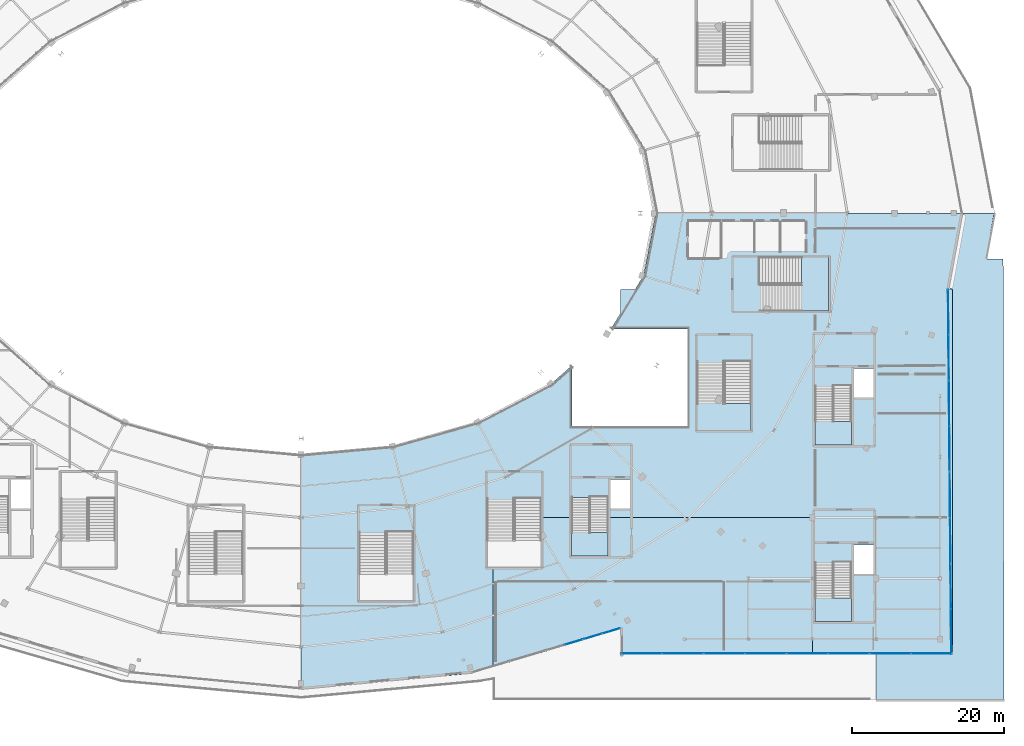
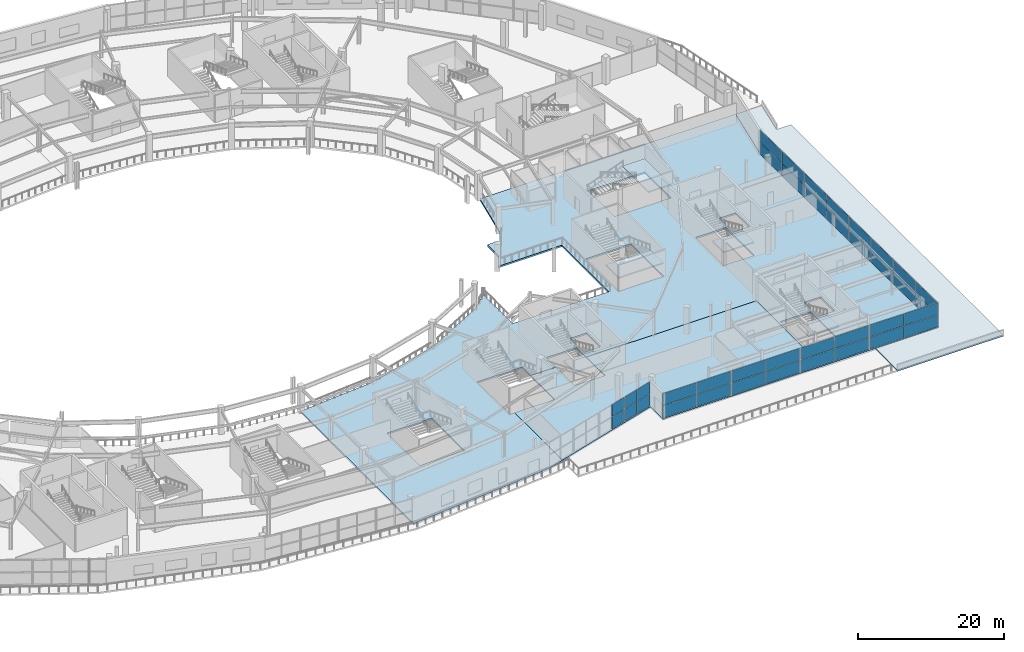
# One storey, part 65 of 107: 38 plates, 8 slabs, 15 elements without a shape of their own.
"""IFC4 building model written with IfcOpenShell, lengths in metres."""

from ifc_helpers import new_model, si_unit, direction, frame, origin, origin_2d, place, context, subcontext, project, spatial, polyline, rectangle, outline, extrude, material, layer, layer_set, type_object, element, aggregate, save


model = new_model("IFC4")

# Units and contexts
model_context = context("Model", 3, precision=1e-05, world=origin(), true_north=direction((0.0, 1.0)))
body_context = subcontext(model_context, "Body", "Model", "MODEL_VIEW")
ifc_project = project(units=[si_unit("LENGTHUNIT", "METRE"), si_unit("AREAUNIT", "SQUARE_METRE"), si_unit("VOLUMEUNIT", "CUBIC_METRE"), si_unit("PLANEANGLEUNIT", "RADIAN"), si_unit("MASSUNIT", "GRAM", prefix="KILO")], contexts=[model_context])

# Site, building, storey
site_placement = place(None, origin())
site = spatial("IfcSite", under=ifc_project, at=site_placement, CompositionType="ELEMENT")
building_placement = place(site_placement, origin())
building = spatial("IfcBuilding", under=site, at=building_placement, Name="Kalgoora Escarpment Arena", CompositionType="ELEMENT")
storey_placement = place(building_placement, frame((0.0, 0.0, 5.39990234375)))
storey = spatial("IfcBuildingStorey", under=building, at=storey_placement, Name="L01", CompositionType="ELEMENT", Elevation=5.39990234375)

# Curtain wall, plates
ifc_material_1 = material(Name=" Champagne anodised aluminium & double-glazed low-E", Category="aluminium")
ifc_layer_1 = layer(ifc_material_1, 0.162109375)
ifc_layer_set_1 = layer_set([ifc_layer_1], Name="CW-UNIT-03")
curtain_wall_type_1 = type_object("IfcCurtainWallType", Name="CW-UNIT-03", PredefinedType="NOTDEFINED", material=ifc_layer_set_1)
curtain_wall_1_placement = place(storey_placement, origin())
curtain_wall_1 = element("IfcCurtainWall", 1, at=curtain_wall_1_placement, inside=storey, type_object=curtain_wall_type_1, Name="L01 unitised facade curtain wall 002", PredefinedType="NOTDEFINED")
ifc_material_2 = material(Name="Low-E double-glazed insulated glass", Category="glass")
ifc_layer_2 = layer(ifc_material_2, 0.028076171875)
ifc_layer_set_2 = layer_set([ifc_layer_2], Name="PLT-CW-GLAZ-28")
plate_type_1 = type_object("IfcPlateType", Name="PLT-CW-GLAZ-28", PredefinedType="CURTAIN_PANEL", material=ifc_layer_set_2)
plate_1_placement = place(storey_placement, frame((164.333740234375, 6.1201171875, 0.080078125), z_axis=(0.0, 0.0, 1.0), x_axis=(-1.0, 0.0, 0.0)))
plate_1 = element("IfcPlate", 2, at=plate_1_placement, type_object=plate_type_1, Name="CW-03 panel 1.1", PredefinedType="CURTAIN_PANEL", context=body_context, shape_type="SweptSolid", body=[
    extrude(rectangle(XDim=5.302490234375, YDim=0.028076171875, at=origin_2d()), origin(), (0.0, 0.0, 1.0), 2.014892578125),
])
plate_2_placement = place(storey_placement, frame((164.333740234375, 6.1201171875, 2.155029296875), z_axis=(0.0, 0.0, 1.0), x_axis=(-1.0, 0.0, 0.0)))
plate_2 = element("IfcPlate", 3, at=plate_2_placement, type_object=plate_type_1, Name="CW-03 panel 1.2", PredefinedType="CURTAIN_PANEL", context=body_context, shape_type="SweptSolid", body=[
    extrude(rectangle(XDim=5.302490234375, YDim=0.028076171875, at=origin_2d()), origin(), (0.0, 0.0, 1.0), 1.9951171875),
])
plate_3_placement = place(storey_placement, frame((158.96630859375, 6.1201171875, 0.080078125), z_axis=(0.0, 0.0, 1.0), x_axis=(-1.0, 0.0, 0.0)))
plate_3 = element("IfcPlate", 4, at=plate_3_placement, type_object=plate_type_1, Name="CW-03 panel 2.1", PredefinedType="CURTAIN_PANEL", context=body_context, shape_type="SweptSolid", body=[
    extrude(rectangle(XDim=5.302490234375, YDim=0.028076171875, at=origin_2d()), origin(), (0.0, 0.0, 1.0), 2.014892578125),
])
plate_4_placement = place(storey_placement, frame((158.96630859375, 6.1201171875, 2.155029296875), z_axis=(0.0, 0.0, 1.0), x_axis=(-1.0, 0.0, 0.0)))
plate_4 = element("IfcPlate", 5, at=plate_4_placement, type_object=plate_type_1, Name="CW-03 panel 2.2", PredefinedType="CURTAIN_PANEL", context=body_context, shape_type="SweptSolid", body=[
    extrude(rectangle(XDim=5.302490234375, YDim=0.028076171875, at=origin_2d()), origin(), (0.0, 0.0, 1.0), 1.9951171875),
])
aggregate(curtain_wall_1, [plate_1, plate_2, plate_3, plate_4])

ifc_material_3 = material(Name=" Champagne anodised aluminium & double-glazed low-E", Category="aluminium")
ifc_layer_3 = layer(ifc_material_3, 0.14990234375)
ifc_layer_set_3 = layer_set([ifc_layer_3], Name="CW-UNIT-05")
curtain_wall_type_2 = type_object("IfcCurtainWallType", Name="CW-UNIT-05", PredefinedType="NOTDEFINED", material=ifc_layer_set_3)
curtain_wall_2_placement = place(storey_placement, origin())
curtain_wall_2 = element("IfcCurtainWall", 6, at=curtain_wall_2_placement, inside=storey, type_object=curtain_wall_type_2, Name="L01 unitised facade curtain wall 004", PredefinedType="NOTDEFINED")
plate_5_placement = place(storey_placement, frame((142.521240234375, 6.1201171875, 0.080078125), z_axis=(0.0, 0.0, 1.0), x_axis=(-1.0, 0.0, 0.0)))
plate_5 = element("IfcPlate", 7, at=plate_5_placement, type_object=plate_type_1, Name="CW-05 panel 1.1", PredefinedType="CURTAIN_PANEL", context=body_context, shape_type="SweptSolid", body=[
    extrude(rectangle(XDim=5.327392578125, YDim=0.028076171875, at=origin_2d()), origin(), (0.0, 0.0, 1.0), 2.014892578125),
])
plate_6_placement = place(storey_placement, frame((142.521240234375, 6.1201171875, 2.155029296875), z_axis=(0.0, 0.0, 1.0), x_axis=(-1.0, 0.0, 0.0)))
plate_6 = element("IfcPlate", 8, at=plate_6_placement, type_object=plate_type_1, Name="CW-05 panel 1.2", PredefinedType="CURTAIN_PANEL", context=body_context, shape_type="SweptSolid", body=[
    extrude(rectangle(XDim=5.327392578125, YDim=0.028076171875, at=origin_2d()), origin(), (0.0, 0.0, 1.0), 1.9951171875),
])
plate_7_placement = place(storey_placement, frame((137.128662109375, 6.1201171875, 0.080078125), z_axis=(0.0, 0.0, 1.0), x_axis=(-1.0, 0.0, 0.0)))
plate_7 = element("IfcPlate", 9, at=plate_7_placement, type_object=plate_type_1, Name="CW-05 panel 2.1", PredefinedType="CURTAIN_PANEL", context=body_context, shape_type="SweptSolid", body=[
    extrude(rectangle(XDim=5.327392578125, YDim=0.028076171875, at=origin_2d()), origin(), (0.0, 0.0, 1.0), 2.014892578125),
])
plate_8_placement = place(storey_placement, frame((137.128662109375, 6.1201171875, 2.155029296875), z_axis=(0.0, 0.0, 1.0), x_axis=(-1.0, 0.0, 0.0)))
plate_8 = element("IfcPlate", 10, at=plate_8_placement, type_object=plate_type_1, Name="CW-05 panel 2.2", PredefinedType="CURTAIN_PANEL", context=body_context, shape_type="SweptSolid", body=[
    extrude(rectangle(XDim=5.327392578125, YDim=0.028076171875, at=origin_2d()), origin(), (0.0, 0.0, 1.0), 1.9951171875),
])
aggregate(curtain_wall_2, [plate_5, plate_6, plate_7, plate_8])

ifc_material_4 = material(Name=" Champagne anodised aluminium & double-glazed low-E", Category="aluminium")
ifc_layer_4 = layer(ifc_material_4, 0.157958984375)
ifc_layer_set_4 = layer_set([ifc_layer_4], Name="CW-UNIT-07")
curtain_wall_type_3 = type_object("IfcCurtainWallType", Name="CW-UNIT-07", PredefinedType="NOTDEFINED", material=ifc_layer_set_4)
curtain_wall_3_placement = place(storey_placement, origin())
curtain_wall_3 = element("IfcCurtainWall", 11, at=curtain_wall_3_placement, inside=storey, type_object=curtain_wall_type_3, Name="L01 unitised facade curtain wall 006", PredefinedType="NOTDEFINED")
plate_9_placement = place(storey_placement, frame((128.23779296875, 7.628173828125, 0.080078125), z_axis=(0.0, 0.0, 1.0), x_axis=(-0.958340689726, -0.285627593932, 0.0)))
plate_9 = element("IfcPlate", 12, at=plate_9_placement, type_object=plate_type_1, Name="CW-07 panel 1.1", PredefinedType="CURTAIN_PANEL", context=body_context, shape_type="SweptSolid", body=[
    extrude(rectangle(XDim=2.393798828125, YDim=0.028076171875, at=origin_2d()), origin(), (0.0, 0.0, 1.0), 2.014892578125),
])
plate_10_placement = place(storey_placement, frame((128.23779296875, 7.628173828125, 2.155029296875), z_axis=(0.0, 0.0, 1.0), x_axis=(-0.958340689726, -0.285627593932, 0.0)))
plate_10 = element("IfcPlate", 13, at=plate_10_placement, type_object=plate_type_1, Name="CW-07 panel 1.2", PredefinedType="CURTAIN_PANEL", context=body_context, shape_type="SweptSolid", body=[
    extrude(rectangle(XDim=2.393798828125, YDim=0.028076171875, at=origin_2d()), origin(), (0.0, 0.0, 1.0), 1.9951171875),
])
aggregate(curtain_wall_3, [plate_9, plate_10])

ifc_material_5 = material(Name=" Champagne anodised aluminium & double-glazed low-E", Category="aluminium")
ifc_layer_5 = layer(ifc_material_5, 0.166015625)
ifc_layer_set_5 = layer_set([ifc_layer_5], Name="CW-UNIT-19")
curtain_wall_type_4 = type_object("IfcCurtainWallType", Name="CW-UNIT-19", PredefinedType="NOTDEFINED", material=ifc_layer_set_5)
curtain_wall_4_placement = place(storey_placement, origin())
curtain_wall_4 = element("IfcCurtainWall", 14, at=curtain_wall_4_placement, inside=storey, type_object=curtain_wall_type_4, Name="L01 unitised facade curtain wall 038", PredefinedType="NOTDEFINED")
plate_11_placement = place(storey_placement, frame((177.5849609375, 38.958984375, 0.0751953125), z_axis=(0.0, 0.0, 1.0), x_axis=(0.008949221441, -0.999959954916, 0.0)))
plate_11 = element("IfcPlate", 15, at=plate_11_placement, type_object=plate_type_1, Name="CW-19 panel 1.1", PredefinedType="CURTAIN_PANEL", context=body_context, shape_type="SweptSolid", body=[
    extrude(rectangle(XDim=5.8603515625, YDim=0.028076171875, at=origin_2d()), origin(), (0.0, 0.0, 1.0), 2.027587890625),
])
plate_12_placement = place(storey_placement, frame((177.5849609375, 38.958984375, 2.15771484375), z_axis=(0.0, 0.0, 1.0), x_axis=(0.008949221441, -0.999959954916, 0.0)))
plate_12 = element("IfcPlate", 16, at=plate_12_placement, type_object=plate_type_1, Name="CW-19 panel 1.2", PredefinedType="CURTAIN_PANEL", context=body_context, shape_type="SweptSolid", body=[
    extrude(rectangle(XDim=5.8603515625, YDim=0.028076171875, at=origin_2d()), origin(), (0.0, 0.0, 1.0), 2.007568359375),
])
plate_13_placement = place(storey_placement, frame((177.637939453125, 33.038818359375, 0.0751953125), z_axis=(0.0, 0.0, 1.0), x_axis=(0.008949221441, -0.999959954916, 0.0)))
plate_13 = element("IfcPlate", 17, at=plate_13_placement, type_object=plate_type_1, Name="CW-19 panel 2.1", PredefinedType="CURTAIN_PANEL", context=body_context, shape_type="SweptSolid", body=[
    extrude(rectangle(XDim=5.8603515625, YDim=0.028076171875, at=origin_2d()), origin(), (0.0, 0.0, 1.0), 2.027587890625),
])
plate_14_placement = place(storey_placement, frame((177.637939453125, 33.038818359375, 2.15771484375), z_axis=(0.0, 0.0, 1.0), x_axis=(0.008949221441, -0.999959954916, 0.0)))
plate_14 = element("IfcPlate", 18, at=plate_14_placement, type_object=plate_type_1, Name="CW-19 panel 2.2", PredefinedType="CURTAIN_PANEL", context=body_context, shape_type="SweptSolid", body=[
    extrude(rectangle(XDim=5.8603515625, YDim=0.028076171875, at=origin_2d()), origin(), (0.0, 0.0, 1.0), 2.007568359375),
])
aggregate(curtain_wall_4, [plate_11, plate_12, plate_13, plate_14])

ifc_material_6 = material(Name=" Champagne anodised aluminium & double-glazed low-E", Category="aluminium")
ifc_layer_6 = layer(ifc_material_6, 0.154052734375)
ifc_layer_set_6 = layer_set([ifc_layer_6], Name="CW-UNIT-01")
curtain_wall_type_5 = type_object("IfcCurtainWallType", Name="CW-UNIT-01", PredefinedType="NOTDEFINED", material=ifc_layer_set_6)
curtain_wall_5_placement = place(storey_placement, origin())
curtain_wall_5 = element("IfcCurtainWall", 19, at=curtain_wall_5_placement, inside=storey, type_object=curtain_wall_type_5, Name="L01 unitised facade curtain wall 040", PredefinedType="NOTDEFINED")
plate_15_placement = place(storey_placement, frame((177.7998046875, 14.945068359375, 0.080078125), z_axis=(0.0, 0.0, 1.0), x_axis=(0.008953615986, -0.999959915577, 0.0)))
plate_15 = element("IfcPlate", 20, at=plate_15_placement, type_object=plate_type_1, Name="CW-01 panel 1.1", PredefinedType="CURTAIN_PANEL", context=body_context, shape_type="SweptSolid", body=[
    extrude(rectangle(XDim=5.877685546875, YDim=0.028076171875, at=origin_2d()), origin(), (0.0, 0.0, 1.0), 2.02001953125),
])
plate_16_placement = place(storey_placement, frame((177.7998046875, 14.945068359375, 2.16015625), z_axis=(0.0, 0.0, 1.0), x_axis=(0.008953615986, -0.999959915577, 0.0)))
plate_16 = element("IfcPlate", 21, at=plate_16_placement, type_object=plate_type_1, Name="CW-01 panel 1.2", PredefinedType="CURTAIN_PANEL", context=body_context, shape_type="SweptSolid", body=[
    extrude(rectangle(XDim=5.877685546875, YDim=0.028076171875, at=origin_2d()), origin(), (0.0, 0.0, 1.0), 2.0),
])
plate_17_placement = place(storey_placement, frame((177.85302734375, 9.002685546875, 0.080078125), z_axis=(0.0, 0.0, 1.0), x_axis=(0.008953615986, -0.999959915577, 0.0)))
plate_17 = element("IfcPlate", 22, at=plate_17_placement, type_object=plate_type_1, Name="CW-01 panel 2.1", PredefinedType="CURTAIN_PANEL", context=body_context, shape_type="SweptSolid", body=[
    extrude(rectangle(XDim=5.877685546875, YDim=0.028076171875, at=origin_2d()), origin(), (0.0, 0.0, 1.0), 2.02001953125),
])
plate_18_placement = place(storey_placement, frame((177.85302734375, 9.002685546875, 2.16015625), z_axis=(0.0, 0.0, 1.0), x_axis=(0.008953615986, -0.999959915577, 0.0)))
plate_18 = element("IfcPlate", 23, at=plate_18_placement, type_object=plate_type_1, Name="CW-01 panel 2.2", PredefinedType="CURTAIN_PANEL", context=body_context, shape_type="SweptSolid", body=[
    extrude(rectangle(XDim=5.877685546875, YDim=0.028076171875, at=origin_2d()), origin(), (0.0, 0.0, 1.0), 2.0),
])
aggregate(curtain_wall_5, [plate_15, plate_16, plate_17, plate_18])

ifc_material_7 = material(Name=" Champagne anodised aluminium & double-glazed low-E", Category="aluminium")
ifc_layer_7 = layer(ifc_material_7, 0.157958984375)
ifc_layer_set_7 = layer_set([ifc_layer_7], Name="CW-UNIT-02")
curtain_wall_type_6 = type_object("IfcCurtainWallType", Name="CW-UNIT-02", PredefinedType="NOTDEFINED", material=ifc_layer_set_7)
curtain_wall_6_placement = place(storey_placement, origin())
curtain_wall_6 = element("IfcCurtainWall", 24, at=curtain_wall_6_placement, inside=storey, type_object=curtain_wall_type_6, Name="L01 unitised facade curtain wall 001", PredefinedType="NOTDEFINED")
ifc_material_8 = material(Name="Acoustic laminated solar-control glass", Category="glass")
ifc_layer_8 = layer(ifc_material_8, 0.033935546875)
ifc_layer_set_8 = layer_set([ifc_layer_8], Name="PLT-CW-GLAZ-34")
plate_type_2 = type_object("IfcPlateType", Name="PLT-CW-GLAZ-34", PredefinedType="CURTAIN_PANEL", material=ifc_layer_set_8)
plate_19_placement = place(storey_placement, frame((175.271240234375, 6.1201171875, 0.080078125), z_axis=(0.0, 0.0, 1.0), x_axis=(-1.0, 0.0, 0.0)))
plate_19 = element("IfcPlate", 25, at=plate_19_placement, type_object=plate_type_2, Name="CW-02 panel 1.1", PredefinedType="CURTAIN_PANEL", context=body_context, shape_type="SweptSolid", body=[
    extrude(rectangle(XDim=5.327392578125, YDim=0.033935546875, at=origin_2d()), origin(), (0.0, 0.0, 1.0), 2.014892578125),
])
plate_20_placement = place(storey_placement, frame((175.271240234375, 6.1201171875, 2.155029296875), z_axis=(0.0, 0.0, 1.0), x_axis=(-1.0, 0.0, 0.0)))
plate_20 = element("IfcPlate", 26, at=plate_20_placement, type_object=plate_type_2, Name="CW-02 panel 1.2", PredefinedType="CURTAIN_PANEL", context=body_context, shape_type="SweptSolid", body=[
    extrude(rectangle(XDim=5.327392578125, YDim=0.033935546875, at=origin_2d()), origin(), (0.0, 0.0, 1.0), 1.9951171875),
])
plate_21_placement = place(storey_placement, frame((169.878662109375, 6.1201171875, 0.080078125), z_axis=(0.0, 0.0, 1.0), x_axis=(-1.0, 0.0, 0.0)))
plate_21 = element("IfcPlate", 27, at=plate_21_placement, type_object=plate_type_2, Name="CW-02 panel 2.1", PredefinedType="CURTAIN_PANEL", context=body_context, shape_type="SweptSolid", body=[
    extrude(rectangle(XDim=5.327392578125, YDim=0.033935546875, at=origin_2d()), origin(), (0.0, 0.0, 1.0), 2.014892578125),
])
plate_22_placement = place(storey_placement, frame((169.878662109375, 6.1201171875, 2.155029296875), z_axis=(0.0, 0.0, 1.0), x_axis=(-1.0, 0.0, 0.0)))
plate_22 = element("IfcPlate", 28, at=plate_22_placement, type_object=plate_type_2, Name="CW-02 panel 2.2", PredefinedType="CURTAIN_PANEL", context=body_context, shape_type="SweptSolid", body=[
    extrude(rectangle(XDim=5.327392578125, YDim=0.033935546875, at=origin_2d()), origin(), (0.0, 0.0, 1.0), 1.9951171875),
])
aggregate(curtain_wall_6, [plate_19, plate_20, plate_21, plate_22])

ifc_material_9 = material(Name=" Champagne anodised aluminium & double-glazed low-E", Category="aluminium")
ifc_layer_9 = layer(ifc_material_9, 0.166015625)
ifc_layer_set_9 = layer_set([ifc_layer_9], Name="CW-UNIT-04")
curtain_wall_type_7 = type_object("IfcCurtainWallType", Name="CW-UNIT-04", PredefinedType="NOTDEFINED", material=ifc_layer_set_9)
curtain_wall_7_placement = place(storey_placement, origin())
curtain_wall_7 = element("IfcCurtainWall", 29, at=curtain_wall_7_placement, inside=storey, type_object=curtain_wall_type_7, Name="L01 unitised facade curtain wall 003", PredefinedType="NOTDEFINED")
plate_23_placement = place(storey_placement, frame((153.433837890625, 6.1201171875, 0.080078125), z_axis=(0.0, 0.0, 1.0), x_axis=(-1.0, 0.0, 0.0)))
plate_23 = element("IfcPlate", 30, at=plate_23_placement, type_object=plate_type_2, Name="CW-04 panel 1.1", PredefinedType="CURTAIN_PANEL", context=body_context, shape_type="SweptSolid", body=[
    extrude(rectangle(XDim=5.302490234375, YDim=0.033935546875, at=origin_2d()), origin(), (0.0, 0.0, 1.0), 2.014892578125),
])
plate_24_placement = place(storey_placement, frame((153.433837890625, 6.1201171875, 2.155029296875), z_axis=(0.0, 0.0, 1.0), x_axis=(-1.0, 0.0, 0.0)))
plate_24 = element("IfcPlate", 31, at=plate_24_placement, type_object=plate_type_2, Name="CW-04 panel 1.2", PredefinedType="CURTAIN_PANEL", context=body_context, shape_type="SweptSolid", body=[
    extrude(rectangle(XDim=5.302490234375, YDim=0.033935546875, at=origin_2d()), origin(), (0.0, 0.0, 1.0), 1.9951171875),
])
plate_25_placement = place(storey_placement, frame((148.066162109375, 6.1201171875, 0.080078125), z_axis=(0.0, 0.0, 1.0), x_axis=(-1.0, 0.0, 0.0)))
plate_25 = element("IfcPlate", 32, at=plate_25_placement, type_object=plate_type_2, Name="CW-04 panel 2.1", PredefinedType="CURTAIN_PANEL", context=body_context, shape_type="SweptSolid", body=[
    extrude(rectangle(XDim=5.302490234375, YDim=0.033935546875, at=origin_2d()), origin(), (0.0, 0.0, 1.0), 2.014892578125),
])
plate_26_placement = place(storey_placement, frame((148.066162109375, 6.1201171875, 2.155029296875), z_axis=(0.0, 0.0, 1.0), x_axis=(-1.0, 0.0, 0.0)))
plate_26 = element("IfcPlate", 33, at=plate_26_placement, type_object=plate_type_2, Name="CW-04 panel 2.2", PredefinedType="CURTAIN_PANEL", context=body_context, shape_type="SweptSolid", body=[
    extrude(rectangle(XDim=5.302490234375, YDim=0.033935546875, at=origin_2d()), origin(), (0.0, 0.0, 1.0), 1.9951171875),
])
aggregate(curtain_wall_7, [plate_23, plate_24, plate_25, plate_26])

ifc_material_10 = material(Name=" Champagne anodised aluminium & double-glazed low-E", Category="aluminium")
ifc_layer_10 = layer(ifc_material_10, 0.154052734375)
ifc_layer_set_10 = layer_set([ifc_layer_10], Name="CW-UNIT-06")
curtain_wall_type_8 = type_object("IfcCurtainWallType", Name="CW-UNIT-06", PredefinedType="NOTDEFINED", material=ifc_layer_set_10)
curtain_wall_8_placement = place(storey_placement, origin())
curtain_wall_8 = element("IfcCurtainWall", 34, at=curtain_wall_8_placement, inside=storey, type_object=curtain_wall_type_8, Name="L01 unitised facade curtain wall 005", PredefinedType="NOTDEFINED")
plate_27_placement = place(storey_placement, frame((133.14453125, 9.0908203125, 0.080078125), z_axis=(0.0, 0.0, 1.0), x_axis=(-0.958339400728, -0.285631918756, 0.0)))
plate_27 = element("IfcPlate", 35, at=plate_27_placement, type_object=plate_type_2, Name="CW-06 panel 1.1", PredefinedType="CURTAIN_PANEL", context=body_context, shape_type="SweptSolid", body=[
    extrude(rectangle(XDim=2.418701171875, YDim=0.033935546875, at=origin_2d()), origin(), (0.0, 0.0, 1.0), 2.014892578125),
])
plate_28_placement = place(storey_placement, frame((133.14453125, 9.0908203125, 2.155029296875), z_axis=(0.0, 0.0, 1.0), x_axis=(-0.958339400728, -0.285631918756, 0.0)))
plate_28 = element("IfcPlate", 36, at=plate_28_placement, type_object=plate_type_2, Name="CW-06 panel 1.2", PredefinedType="CURTAIN_PANEL", context=body_context, shape_type="SweptSolid", body=[
    extrude(rectangle(XDim=2.418701171875, YDim=0.033935546875, at=origin_2d()), origin(), (0.0, 0.0, 1.0), 1.9951171875),
])
plate_29_placement = place(storey_placement, frame((130.76416015625, 8.38134765625, 0.080078125), z_axis=(0.0, 0.0, 1.0), x_axis=(-0.958339400728, -0.285631918756, 0.0)))
plate_29 = element("IfcPlate", 37, at=plate_29_placement, type_object=plate_type_2, Name="CW-06 panel 2.1", PredefinedType="CURTAIN_PANEL", context=body_context, shape_type="SweptSolid", body=[
    extrude(rectangle(XDim=2.418701171875, YDim=0.033935546875, at=origin_2d()), origin(), (0.0, 0.0, 1.0), 2.014892578125),
])
plate_30_placement = place(storey_placement, frame((130.76416015625, 8.38134765625, 2.155029296875), z_axis=(0.0, 0.0, 1.0), x_axis=(-0.958339400728, -0.285631918756, 0.0)))
plate_30 = element("IfcPlate", 38, at=plate_30_placement, type_object=plate_type_2, Name="CW-06 panel 2.2", PredefinedType="CURTAIN_PANEL", context=body_context, shape_type="SweptSolid", body=[
    extrude(rectangle(XDim=2.418701171875, YDim=0.033935546875, at=origin_2d()), origin(), (0.0, 0.0, 1.0), 1.9951171875),
])
aggregate(curtain_wall_8, [plate_27, plate_28, plate_29, plate_30])

ifc_material_11 = material(Name=" Champagne anodised aluminium & double-glazed low-E", Category="aluminium")
ifc_layer_11 = layer(ifc_material_11, 0.162109375)
ifc_layer_set_11 = layer_set([ifc_layer_11], Name="CW-UNIT-18")
curtain_wall_type_9 = type_object("IfcCurtainWallType", Name="CW-UNIT-18", PredefinedType="NOTDEFINED", material=ifc_layer_set_11)
curtain_wall_9_placement = place(storey_placement, origin())
curtain_wall_9 = element("IfcCurtainWall", 39, at=curtain_wall_9_placement, inside=storey, type_object=curtain_wall_type_9, Name="L01 unitised facade curtain wall 037", PredefinedType="NOTDEFINED")
plate_31_placement = place(storey_placement, frame((177.477294921875, 50.996337890625, 0.0751953125), z_axis=(0.0, 0.0, 1.0), x_axis=(0.008953615986, -0.999959915577, 0.0)))
plate_31 = element("IfcPlate", 40, at=plate_31_placement, type_object=plate_type_2, Name="CW-18 panel 1.1", PredefinedType="CURTAIN_PANEL", context=body_context, shape_type="SweptSolid", body=[
    extrude(rectangle(XDim=5.88525390625, YDim=0.033935546875, at=origin_2d()), origin(), (0.0, 0.0, 1.0), 2.027587890625),
])
plate_32_placement = place(storey_placement, frame((177.477294921875, 50.996337890625, 2.15771484375), z_axis=(0.0, 0.0, 1.0), x_axis=(0.008953615986, -0.999959915577, 0.0)))
plate_32 = element("IfcPlate", 41, at=plate_32_placement, type_object=plate_type_2, Name="CW-18 panel 1.2", PredefinedType="CURTAIN_PANEL", context=body_context, shape_type="SweptSolid", body=[
    extrude(rectangle(XDim=5.88525390625, YDim=0.033935546875, at=origin_2d()), origin(), (0.0, 0.0, 1.0), 2.007568359375),
])
plate_33_placement = place(storey_placement, frame((177.530517578125, 45.051513671875, 0.0751953125), z_axis=(0.0, 0.0, 1.0), x_axis=(0.008953615986, -0.999959915577, 0.0)))
plate_33 = element("IfcPlate", 42, at=plate_33_placement, type_object=plate_type_2, Name="CW-18 panel 2.1", PredefinedType="CURTAIN_PANEL", context=body_context, shape_type="SweptSolid", body=[
    extrude(rectangle(XDim=5.88525390625, YDim=0.033935546875, at=origin_2d()), origin(), (0.0, 0.0, 1.0), 2.027587890625),
])
plate_34_placement = place(storey_placement, frame((177.530517578125, 45.051513671875, 2.15771484375), z_axis=(0.0, 0.0, 1.0), x_axis=(0.008953615986, -0.999959915577, 0.0)))
plate_34 = element("IfcPlate", 43, at=plate_34_placement, type_object=plate_type_2, Name="CW-18 panel 2.2", PredefinedType="CURTAIN_PANEL", context=body_context, shape_type="SweptSolid", body=[
    extrude(rectangle(XDim=5.88525390625, YDim=0.033935546875, at=origin_2d()), origin(), (0.0, 0.0, 1.0), 2.007568359375),
])
aggregate(curtain_wall_9, [plate_31, plate_32, plate_33, plate_34])

ifc_material_12 = material(Name=" Champagne anodised aluminium & double-glazed low-E", Category="aluminium")
ifc_layer_12 = layer(ifc_material_12, 0.14990234375)
ifc_layer_set_12 = layer_set([ifc_layer_12], Name="CW-UNIT-20")
curtain_wall_type_10 = type_object("IfcCurtainWallType", Name="CW-UNIT-20", PredefinedType="NOTDEFINED", material=ifc_layer_set_12)
curtain_wall_10_placement = place(storey_placement, origin())
curtain_wall_10 = element("IfcCurtainWall", 44, at=curtain_wall_10_placement, inside=storey, type_object=curtain_wall_type_10, Name="L01 unitised facade curtain wall 039", PredefinedType="NOTDEFINED")
plate_35_placement = place(storey_placement, frame((177.6923828125, 26.958984375, 0.0751953125), z_axis=(0.0, 0.0, 1.0), x_axis=(0.008949221441, -0.999959954916, 0.0)))
plate_35 = element("IfcPlate", 45, at=plate_35_placement, type_object=plate_type_2, Name="CW-20 panel 1.1", PredefinedType="CURTAIN_PANEL", context=body_context, shape_type="SweptSolid", body=[
    extrude(rectangle(XDim=5.8603515625, YDim=0.033935546875, at=origin_2d()), origin(), (0.0, 0.0, 1.0), 2.027587890625),
])
plate_36_placement = place(storey_placement, frame((177.6923828125, 26.958984375, 2.15771484375), z_axis=(0.0, 0.0, 1.0), x_axis=(0.008949221441, -0.999959954916, 0.0)))
plate_36 = element("IfcPlate", 46, at=plate_36_placement, type_object=plate_type_2, Name="CW-20 panel 1.2", PredefinedType="CURTAIN_PANEL", context=body_context, shape_type="SweptSolid", body=[
    extrude(rectangle(XDim=5.8603515625, YDim=0.033935546875, at=origin_2d()), origin(), (0.0, 0.0, 1.0), 2.007568359375),
])
plate_37_placement = place(storey_placement, frame((177.745361328125, 21.038818359375, 0.0751953125), z_axis=(0.0, 0.0, 1.0), x_axis=(0.008949221441, -0.999959954916, 0.0)))
plate_37 = element("IfcPlate", 47, at=plate_37_placement, type_object=plate_type_2, Name="CW-20 panel 2.1", PredefinedType="CURTAIN_PANEL", context=body_context, shape_type="SweptSolid", body=[
    extrude(rectangle(XDim=5.8603515625, YDim=0.033935546875, at=origin_2d()), origin(), (0.0, 0.0, 1.0), 2.027587890625),
])
plate_38_placement = place(storey_placement, frame((177.745361328125, 21.038818359375, 2.15771484375), z_axis=(0.0, 0.0, 1.0), x_axis=(0.008949221441, -0.999959954916, 0.0)))
plate_38 = element("IfcPlate", 48, at=plate_38_placement, type_object=plate_type_2, Name="CW-20 panel 2.2", PredefinedType="CURTAIN_PANEL", context=body_context, shape_type="SweptSolid", body=[
    extrude(rectangle(XDim=5.8603515625, YDim=0.033935546875, at=origin_2d()), origin(), (0.0, 0.0, 1.0), 2.007568359375),
])
aggregate(curtain_wall_10, [plate_35, plate_36, plate_37, plate_38])

# Slabs
ifc_material_13 = material(Name="Concrete N40 (fc' 40 MPa)", Category="concrete")
ifc_layer_13 = layer(ifc_material_13, 0.280029296875)
ifc_layer_set_13 = layer_set([ifc_layer_13], Name="SLB-CONC-280")
slab_type_1 = type_object("IfcSlabType", Name="SLB-CONC-280", PredefinedType="FLOOR", material=ifc_layer_set_13)
slab_1_placement = place(storey_placement, frame((0.0, 0.0, -0.27978515625)))
element("IfcSlab", 49, at=slab_1_placement, inside=storey, type_object=slab_type_1, Name="L01 concourse ring SE floor slab", PredefinedType="FLOOR", context=body_context, shape_type="SweptSolid", body=[
    extrude(outline(polyline([(92.39990234375, 1.39990234375), (92.39990234375, 32.39990234375), (104.4609375, 33.476806640625), (115.699951171875, 36.633544921875), (125.351318359375, 41.655517578125), (128.0, 43.99609375), (128.0, 36.0), (143.199951171875, 36.0), (143.199951171875, 48.800048828125), (133.123291015625, 48.800048828125), (134.39990234375, 50.89013671875), (134.39990234375, 54.0), (136.299560546875, 54.0), (137.412109375, 55.8212890625), (139.0, 64.0), (179.39990234375, 64.0), (177.5703125, 54.0), (178.0, 54.0), (178.0, 6.0), (159.60009765625, 6.0), (159.60009765625, 24.0), (132.75, 24.0), (132.75, 26.64990234375), (127.949951171875, 26.64990234375), (127.949951171875, 24.0), (123.949951171875, 24.0), (123.949951171875, 26.35009765625), (116.85009765625, 26.35009765625), (116.85009765625, 17.449951171875), (117.60009765625, 17.449951171875), (117.60009765625, 4.33251953125), (114.917236328125, 3.532958984375), (92.39990234375, 1.39990234375)]), holes=[polyline([(159.949951171875, 18.050048828125), (159.949951171875, 10.35009765625), (164.75, 10.35009765625), (164.75, 18.050048828125), (159.949951171875, 18.050048828125)]), polyline([(100.050048828125, 21.949951171875), (100.050048828125, 13.050048828125), (107.14990234375, 13.050048828125), (107.14990234375, 21.949951171875), (100.050048828125, 21.949951171875)]), polyline([(165.050048828125, 20.39990234375), (165.050048828125, 16.60009765625), (167.64990234375, 16.60009765625), (167.64990234375, 20.39990234375), (165.050048828125, 20.39990234375)]), polyline([(133.050048828125, 29.0), (133.050048828125, 25.199951171875), (135.64990234375, 25.199951171875), (135.64990234375, 29.0), (133.050048828125, 29.0)]), polyline([(159.949951171875, 41.25), (159.949951171875, 33.550048828125), (164.75, 33.550048828125), (164.75, 41.25), (159.949951171875, 41.25)]), polyline([(144.449951171875, 44.35009765625), (144.449951171875, 35.449951171875), (151.550048828125, 35.449951171875), (151.550048828125, 44.35009765625), (144.449951171875, 44.35009765625)]), polyline([(165.050048828125, 43.60009765625), (165.050048828125, 39.800048828125), (167.64990234375, 39.800048828125), (167.64990234375, 43.60009765625), (165.050048828125, 43.60009765625)]), polyline([(152.85009765625, 58.25), (152.85009765625, 51.14990234375), (161.75, 51.14990234375), (161.75, 58.25), (152.85009765625, 58.25)])]), origin(), (0.0, 0.0, 1.0), 0.27978515625),
])
ifc_material_14 = material(Name="Concrete N40 (fc' 40 MPa)", Category="concrete")
ifc_layer_14 = layer(ifc_material_14, 0.219970703125)
ifc_layer_set_14 = layer_set([ifc_layer_14], Name="SLB-DOCK-220")
slab_type_2 = type_object("IfcSlabType", Name="SLB-DOCK-220", PredefinedType="FLOOR", material=ifc_layer_set_14)
slab_2_placement = place(storey_placement, frame((0.0, 0.0, -0.219970703125)))
element("IfcSlab", 50, at=slab_2_placement, inside=storey, type_object=slab_type_2, Name="L01 loading dock high-clearance floor slab", PredefinedType="FLOOR", context=body_context, shape_type="SweptSolid", body=[
    extrude(outline(polyline([(134.39990234375, 9.339599609375), (117.60009765625, 4.33251953125), (117.60009765625, 17.449951171875), (123.949951171875, 17.449951171875), (123.949951171875, 24.0), (127.949951171875, 24.0), (127.949951171875, 18.949951171875), (132.75, 18.949951171875), (132.75, 24.0), (159.60009765625, 24.0), (159.60009765625, 6.0), (134.39990234375, 6.0), (134.39990234375, 9.339599609375)])), origin(), (0.0, 0.0, 1.0), 0.219970703125),
])
ifc_material_15 = material(Name="Concrete N40 (fc' 40 MPa)", Category="concrete")
ifc_layer_15 = layer(ifc_material_15, 0.239990234375)
ifc_layer_set_15 = layer_set([ifc_layer_15], Name="SLB-ROOF-240")
slab_type_3 = type_object("IfcSlabType", Name="SLB-ROOF-240", PredefinedType="ROOF", material=ifc_layer_set_15)
slab_3_placement = place(storey_placement, frame((0.0, 0.0, -0.239990234375)))
element("IfcSlab", 51, at=slab_3_placement, inside=storey, type_object=slab_type_3, Name="L01 stepped podium roof slab 1", PredefinedType="ROOF", context=body_context, shape_type="SweptSolid", body=[
    extrude(outline(polyline([(178.0, 6.0), (178.0, 53.99755859375), (177.590576171875, 54.1083984375), (179.399658203125, 63.95458984375), (183.4892578125, 63.99951171875), (182.470947265625, 58.0), (184.699951171875, 58.0), (184.798095703125, 0.08056640625), (168.01171875, 0.052978515625), (168.052978515625, 5.98828125), (178.0, 6.0)])), origin(), (0.0, 0.0, 1.0), 0.239990234375),
])

# Stair, slab
ifc_material_16 = material(Name="Concrete N40 (fc' 40 MPa)", Category="concrete")
stair_type_1 = type_object("IfcStairType", Name="STR-EXIT-2", PredefinedType="HALF_TURN_STAIR", material=ifc_material_16)
stair_1_placement = place(storey_placement, origin())
stair_1 = element("IfcStair", 52, at=stair_1_placement, inside=storey, type_object=stair_type_1, Name="Fire-isolated exit stair ST06 (L01)", PredefinedType="HALF_TURN_STAIR")
ifc_material_17 = material(Name="Concrete N40 (fc' 40 MPa)", Category="concrete")
ifc_layer_16 = layer(ifc_material_17, 0.219970703125)
ifc_layer_set_16 = layer_set([ifc_layer_16], Name="SLB-ST-LAND-220")
slab_type_4 = type_object("IfcSlabType", Name="SLB-ST-LAND-220", PredefinedType="LANDING", material=ifc_layer_set_16)
slab_4_placement = place(storey_placement, frame((0.0, 0.0, 2.030029296875)))
slab_4 = element("IfcSlab", 53, at=slab_4_placement, type_object=slab_type_4, Name="ST06 L01 half-landing", PredefinedType="LANDING", context=body_context, shape_type="SweptSolid", body=[
    extrude(outline(polyline([(132.75, 22.0400390625), (132.75, 18.949951171875), (127.949951171875, 18.949951171875), (127.949951171875, 22.0400390625), (132.75, 22.0400390625)])), origin(), (0.0, 0.0, 1.0), 0.219970703125),
])
aggregate(stair_1, [slab_4])

ifc_material_18 = material(Name="Concrete N40 (fc' 40 MPa)", Category="concrete")
stair_type_2 = type_object("IfcStairType", Name="STR-EXIT-3", PredefinedType="HALF_TURN_STAIR", material=ifc_material_18)
stair_2_placement = place(storey_placement, origin())
stair_2 = element("IfcStair", 54, at=stair_2_placement, inside=storey, type_object=stair_type_2, Name="Fire-isolated exit stair ST07 (L01)", PredefinedType="HALF_TURN_STAIR")
slab_5_placement = place(storey_placement, frame((0.0, 0.0, 2.030029296875)))
slab_5 = element("IfcSlab", 55, at=slab_5_placement, type_object=slab_type_4, Name="ST07 L01 half-landing", PredefinedType="LANDING", context=body_context, shape_type="SweptSolid", body=[
    extrude(outline(polyline([(164.75, 36.639892578125), (164.75, 33.550048828125), (159.949951171875, 33.550048828125), (159.949951171875, 36.639892578125), (164.75, 36.639892578125)])), origin(), (0.0, 0.0, 1.0), 0.219970703125),
])
aggregate(stair_2, [slab_5])

ifc_material_19 = material(Name="Concrete N40 (fc' 40 MPa)", Category="concrete")
stair_type_3 = type_object("IfcStairType", Name="STR-EXIT-4", PredefinedType="HALF_TURN_STAIR", material=ifc_material_19)
stair_3_placement = place(storey_placement, origin())
stair_3 = element("IfcStair", 56, at=stair_3_placement, inside=storey, type_object=stair_type_3, Name="Fire-isolated exit stair ST08 (L01)", PredefinedType="HALF_TURN_STAIR")
slab_6_placement = place(storey_placement, frame((0.0, 0.0, 2.030029296875)))
slab_6 = element("IfcSlab", 57, at=slab_6_placement, type_object=slab_type_4, Name="ST08 L01 half-landing", PredefinedType="LANDING", context=body_context, shape_type="SweptSolid", body=[
    extrude(outline(polyline([(164.75, 13.43994140625), (164.75, 10.35009765625), (159.949951171875, 10.35009765625), (159.949951171875, 13.43994140625), (164.75, 13.43994140625)])), origin(), (0.0, 0.0, 1.0), 0.219970703125),
])
aggregate(stair_3, [slab_6])

ifc_material_20 = material(Name="Precast concrete N50 (fc' 50 MPa)", Category="concrete")
stair_type_4 = type_object("IfcStairType", Name="STR-STAD-2", PredefinedType="HALF_TURN_STAIR", material=ifc_material_20)
stair_4_placement = place(storey_placement, origin())
stair_4 = element("IfcStair", 58, at=stair_4_placement, inside=storey, type_object=stair_type_4, Name="Fire-isolated exit stair ST22 (L01)", PredefinedType="HALF_TURN_STAIR")
slab_7_placement = place(storey_placement, frame((0.0, 0.0, 2.030029296875)))
slab_7 = element("IfcSlab", 59, at=slab_7_placement, type_object=slab_type_4, Name="ST22 L01 half-landing", PredefinedType="LANDING", context=body_context, shape_type="SweptSolid", body=[
    extrude(outline(polyline([(158.199951171875, 58.25), (161.75, 58.25), (161.75, 51.14990234375), (158.199951171875, 51.14990234375), (158.199951171875, 58.25)])), origin(), (0.0, 0.0, 1.0), 0.219970703125),
])
aggregate(stair_4, [slab_7])

ifc_material_21 = material(Name="Precast concrete N50 (fc' 50 MPa)", Category="concrete")
stair_type_5 = type_object("IfcStairType", Name="STR-STAD-4", PredefinedType="HALF_TURN_STAIR", material=ifc_material_21)
stair_5_placement = place(storey_placement, origin())
stair_5 = element("IfcStair", 60, at=stair_5_placement, inside=storey, type_object=stair_type_5, Name="Fire-isolated exit stair ST24 (L01)", PredefinedType="HALF_TURN_STAIR")
slab_8_placement = place(storey_placement, frame((0.0, 0.0, 2.030029296875)))
slab_8 = element("IfcSlab", 61, at=slab_8_placement, type_object=slab_type_4, Name="ST24 L01 half-landing", PredefinedType="LANDING", context=body_context, shape_type="SweptSolid", body=[
    extrude(outline(polyline([(151.550048828125, 39.0), (151.550048828125, 35.449951171875), (144.449951171875, 35.449951171875), (144.449951171875, 39.0), (151.550048828125, 39.0)])), origin(), (0.0, 0.0, 1.0), 0.219970703125),
])
aggregate(stair_5, [slab_8])

save(model, "model.ifc")
